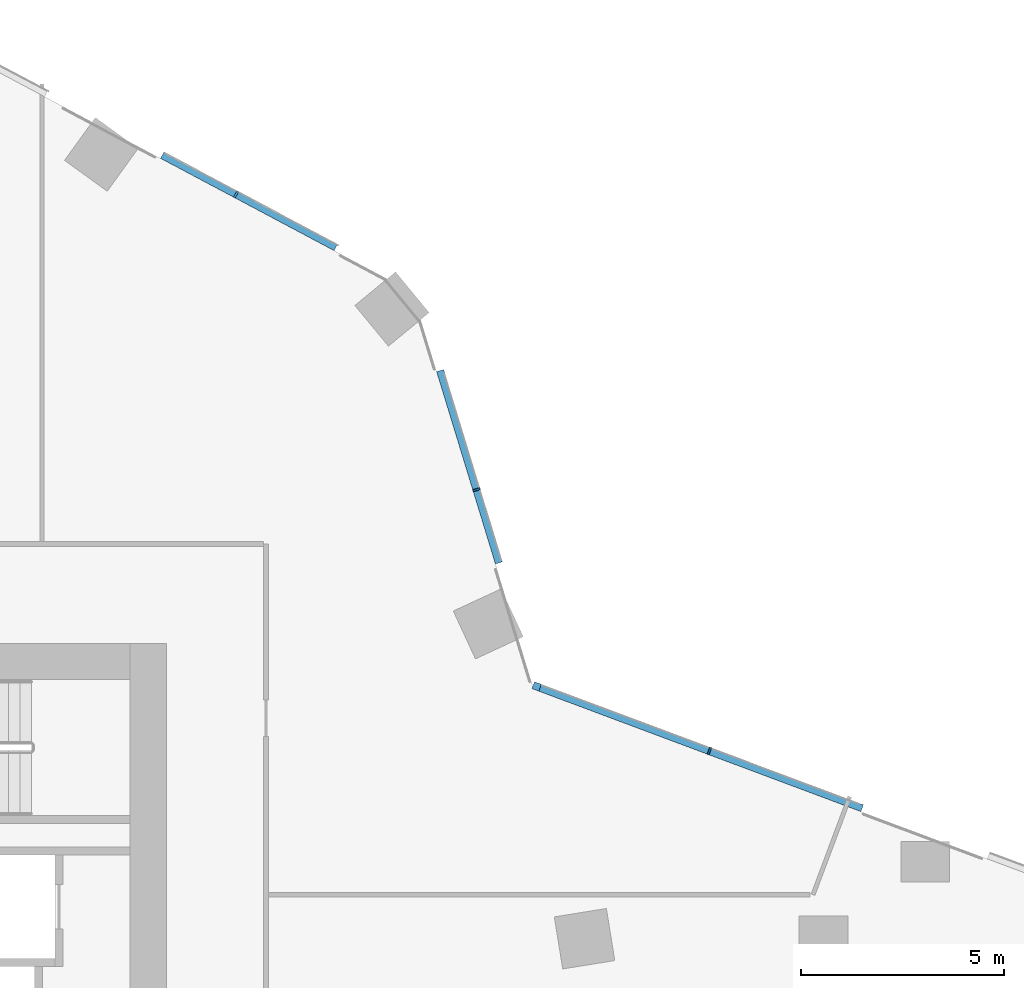
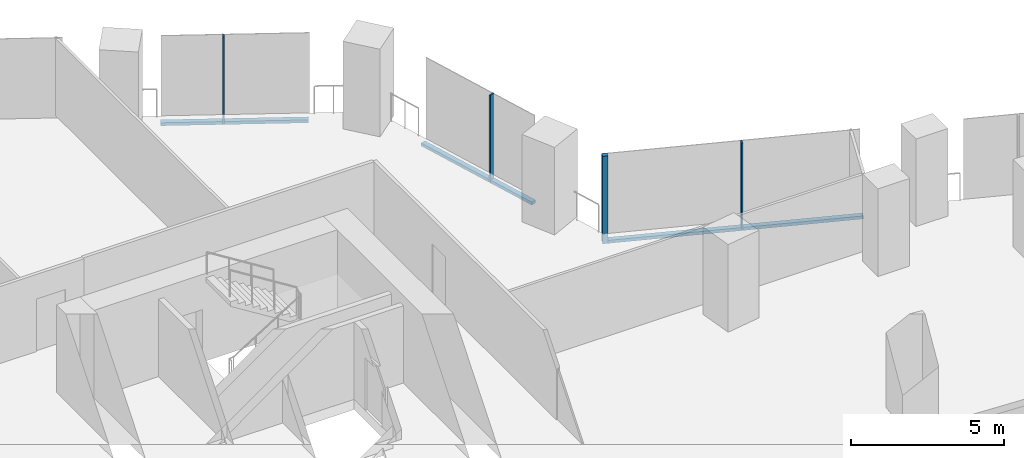
# One storey, part 13 of 30: 7 members, 3 elements without a shape of their own.
"""IFC4 building model written with IfcOpenShell, lengths in metres."""

from ifc_helpers import new_model, si_unit, direction, frame, origin, origin_2d, place, context, subcontext, project, spatial, rectangle, extrude, material, material_profile, profile_set, type_object, element, aggregate, save


model = new_model("IFC4")

# Units and contexts
model_context = context("Model", 3, precision=1e-05, world=origin(), true_north=direction((0.0, 1.0)))
body_context = subcontext(model_context, "Body", "Model", "MODEL_VIEW")
ifc_project = project(units=[si_unit("LENGTHUNIT", "METRE"), si_unit("AREAUNIT", "SQUARE_METRE"), si_unit("VOLUMEUNIT", "CUBIC_METRE"), si_unit("PLANEANGLEUNIT", "RADIAN"), si_unit("MASSUNIT", "GRAM", prefix="KILO")], contexts=[model_context])

# Site, building, storey
site_placement = place(None, origin())
site = spatial("IfcSite", under=ifc_project, at=site_placement, CompositionType="ELEMENT")
building_placement = place(site_placement, origin())
building = spatial("IfcBuilding", under=site, at=building_placement, Name="Orlundy Tower", CompositionType="ELEMENT")
storey_placement = place(building_placement, frame((0.0, 0.0, 80.699951171875)))
storey = spatial("IfcBuildingStorey", under=building, at=storey_placement, Name="L19", CompositionType="ELEMENT", Elevation=80.699951171875)

# Curtain wall, member
ifc_material_1 = material(Name="Aluminium bronze anodised", Category="aluminium")
curtain_wall_type = type_object("IfcCurtainWallType", Name="CW1 wall", PredefinedType="NOTDEFINED", material=ifc_material_1)
curtain_wall_1_placement = place(storey_placement, origin())
curtain_wall_1 = element("IfcCurtainWall", 1, at=curtain_wall_1_placement, inside=storey, type_object=curtain_wall_type, Name="CW1 run 06", PredefinedType="NOTDEFINED")
ifc_material_2 = material(Name="Aluminium bronze anodised", Category="aluminium")
ifc_material_profile_1 = material_profile(ifc_material_2, rectangle(XDim=0.179931640625, YDim=0.179931640625, at=origin_2d()), Name="CW1 corner post 180x180")
ifc_profile_set_1 = profile_set([ifc_material_profile_1], Name="Aluminium bronze anodised")
member_type_1 = type_object("IfcMemberType", Name="CW1 corner post 180x180", PredefinedType="MULLION", material=ifc_profile_set_1)
member_1_placement = place(storey_placement, frame((28.1220703125, 10.933837890625, -0.39990234375), z_axis=(0.0, 0.0, 1.0), x_axis=(0.350203812273, 0.93667352363, 0.0)))
member_1 = element("IfcMember", 2, at=member_1_placement, type_object=member_type_1, Name="CW1 mullion 26", PredefinedType="MULLION", context=body_context, shape_type="SweptSolid", body=[
    extrude(rectangle(XDim=0.179931640625, YDim=0.179931640625, at=origin_2d()), origin(), (0.0, 0.0, 1.0), 3.5),
])

curtain_wall_2_placement = place(storey_placement, origin())
curtain_wall_2 = element("IfcCurtainWall", 3, at=curtain_wall_2_placement, inside=storey, type_object=curtain_wall_type, Name="CW1 run 04", PredefinedType="NOTDEFINED")
ifc_material_3 = material(Name="Aluminium bronze anodised", Category="aluminium")
ifc_material_profile_2 = material_profile(ifc_material_3, rectangle(XDim=0.179931640625, YDim=0.050048828125, at=origin_2d()), Name="CW1 mullion 50x180")
ifc_profile_set_2 = profile_set([ifc_material_profile_2], Name="Aluminium bronze anodised")
member_type_2 = type_object("IfcMemberType", Name="CW1 mullion 50x180", PredefinedType="MULLION", material=ifc_profile_set_2)
member_2_placement = place(storey_placement, frame((20.70947265625, 23.06787109375, -0.39990234375), z_axis=(0.0, 0.0, 1.0), x_axis=(0.469445471129, 0.882961465544, 0.0)))
member_2 = element("IfcMember", 4, at=member_2_placement, type_object=member_type_2, Name="CW1 mullion 23", PredefinedType="MULLION", context=body_context, shape_type="SweptSolid", body=[
    extrude(rectangle(XDim=0.179931640625, YDim=0.050048828125, at=origin_2d()), origin(), (0.0, 0.0, 1.0), 3.5),
])

curtain_wall_3_placement = place(storey_placement, origin())
curtain_wall_3 = element("IfcCurtainWall", 5, at=curtain_wall_3_placement, inside=storey, type_object=curtain_wall_type, Name="CW1 run 05", PredefinedType="NOTDEFINED")
member_3_placement = place(storey_placement, frame((26.638671875, 15.786376953125, -0.39990234375), z_axis=(0.0, 0.0, 1.0), x_axis=(0.956307579156, 0.292362470314, 0.0)))
member_3 = element("IfcMember", 6, at=member_3_placement, type_object=member_type_2, Name="CW1 mullion 25", PredefinedType="MULLION", context=body_context, shape_type="SweptSolid", body=[
    extrude(rectangle(XDim=0.179931640625, YDim=0.050048828125, at=origin_2d()), origin(), (0.0, 0.0, 1.0), 3.5),
])

# Member
member_4_placement = place(storey_placement, frame((32.378662109375, 9.34228515625, -0.39990234375), z_axis=(0.0, 0.0, 1.0), x_axis=(0.350203812273, 0.93667352363, 0.0)))
member_4 = element("IfcMember", 7, at=member_4_placement, type_object=member_type_2, Name="CW1 mullion 27", PredefinedType="MULLION", context=body_context, shape_type="SweptSolid", body=[
    extrude(rectangle(XDim=0.179931640625, YDim=0.050048828125, at=origin_2d()), origin(), (0.0, 0.0, 1.0), 3.5),
])

ifc_material_4 = material(Name="Aluminium bronze anodised", Category="aluminium")
ifc_material_profile_3 = material_profile(ifc_material_4, rectangle(XDim=0.179931640625, YDim=0.1201171875, at=origin_2d()), Name="CW1 transom 180x120")
ifc_profile_set_3 = profile_set([ifc_material_profile_3], Name="Aluminium bronze anodised")
member_type_3 = type_object("IfcMemberType", Name="CW1 transom 180x120", PredefinedType="USERDEFINED", material=ifc_profile_set_3)
member_5_placement = place(storey_placement, frame((18.89013671875, 24.03515625, -0.33984375), z_axis=(0.882965680306, -0.469437543665, 0.0), x_axis=(0.469437543665, 0.882965680306, 0.0)))
member_5 = element("IfcMember", 8, at=member_5_placement, type_object=member_type_3, Name="CW1 transom", ObjectType="TRANSOM", PredefinedType="USERDEFINED", context=body_context, shape_type="SweptSolid", body=[
    extrude(rectangle(XDim=0.179931640625, YDim=0.1201171875, at=origin_2d()), origin(), (0.0, 0.0, 1.0), 4.84716796875),
])

aggregate(curtain_wall_2, [member_2, member_5])

member_6_placement = place(storey_placement, frame((25.740966796875, 18.722412109375, -0.33984375), z_axis=(0.292358652284, -0.956308746397, 0.0), x_axis=(0.956308746397, 0.292358652284, 0.0)))
member_6 = element("IfcMember", 9, at=member_6_placement, type_object=member_type_3, Name="CW1 transom", ObjectType="TRANSOM", PredefinedType="USERDEFINED", context=body_context, shape_type="SweptSolid", body=[
    extrude(rectangle(XDim=0.179931640625, YDim=0.1201171875, at=origin_2d()), origin(), (0.0, 0.0, 1.0), 4.957763671875),
])

aggregate(curtain_wall_3, [member_3, member_6])

member_7_placement = place(storey_placement, frame((28.206298828125, 10.90234375, -0.33984375), z_axis=(0.936668402947, -0.350217508016, 0.0), x_axis=(0.350217508016, 0.936668402947, 0.0)))
member_7 = element("IfcMember", 10, at=member_7_placement, type_object=member_type_3, Name="CW1 transom", ObjectType="TRANSOM", PredefinedType="USERDEFINED", context=body_context, shape_type="SweptSolid", body=[
    extrude(rectangle(XDim=0.179931640625, YDim=0.1201171875, at=origin_2d()), origin(), (0.0, 0.0, 1.0), 8.4775390625),
])

aggregate(curtain_wall_1, [member_1, member_4, member_7])

save(model, "model.ifc")
